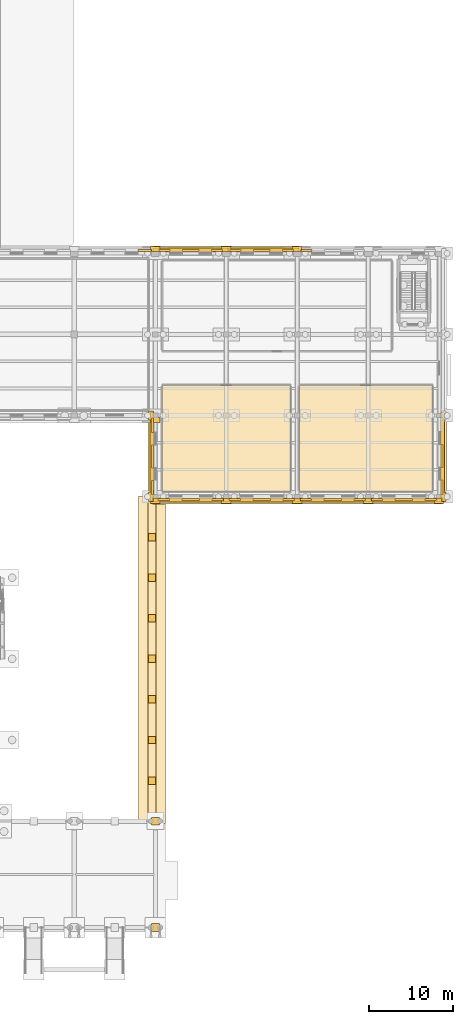
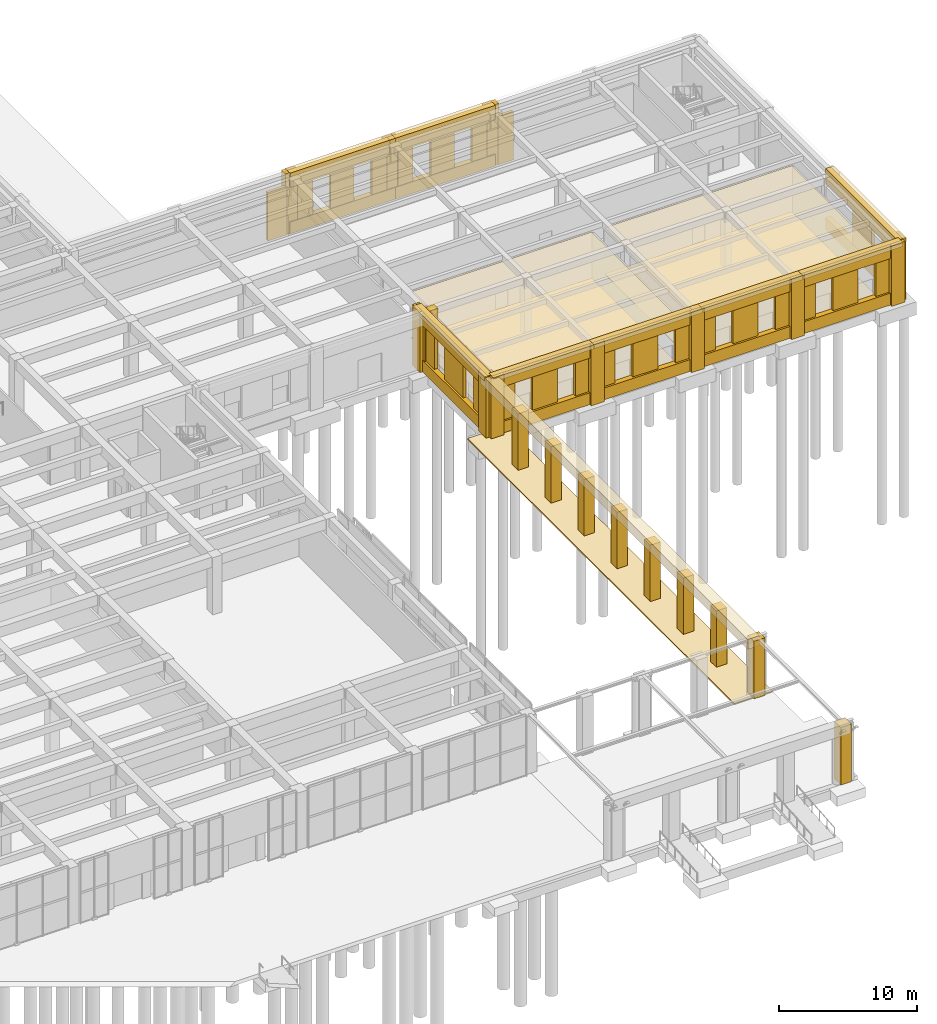
# One storey, part 49 of 51: 76 coverings.
"""IFC4 building model written with IfcOpenShell, lengths in metres."""

import ifcopenshell
import ifcopenshell.guid

model = None  # the IFC model being written
_history = None  # IfcOwnerHistory: only IFC2X3 demands one
_inside = {}  # id of a spatial element -> (the spatial element, [elements in it])
_under = {}  # id of a project, library or spatial element -> (it, [spatial elements below it])
_declared = {}  # id of a project -> (the project, [libraries it declares])
_typed = {}  # id of a type object -> (the type object, [elements of that type])
_made_of = {}  # id of a material, layer set ... -> (it, [elements and type objects made of it])


def new_model(schema):
    """Start an empty IFC model of exactly this schema.

    Asked for "IFC4X3", IfcOpenShell would pick the latest addendum, in which some entities
    have other attributes; the version numbers below select the first issue.
    IFC2X3 requires an IfcOwnerHistory on every rooted entity: one is made here for all.
    """
    global model, _history
    if schema == "IFC4X3":
        model = ifcopenshell.file(schema_version=(4, 3, 0, 0))
    else:
        model = ifcopenshell.file(schema=schema)
    _inside.clear()
    _under.clear()
    _declared.clear()
    _typed.clear()
    _made_of.clear()
    _history = None
    if model.schema == "IFC2X3":
        org = make("IfcOrganization", Name="unknown")
        user = make(
            "IfcPersonAndOrganization",
            ThePerson=make("IfcPerson", FamilyName="unknown"),
            TheOrganization=org,
        )
        app = make(
            "IfcApplication",
            ApplicationDeveloper=org,
            Version="unknown",
            ApplicationFullName="unknown",
            ApplicationIdentifier="unknown",
        )
        _history = make(
            "IfcOwnerHistory",
            OwningUser=user,
            OwningApplication=app,
            ChangeAction="ADDED",
            CreationDate=0,
        )
    return model


def make(cls, **values):
    """One entity of the class cls with the attributes given. An attribute that is None is left unset."""
    return model.create_entity(
        cls, **{name: value for name, value in values.items() if value is not None}
    )


def rooted(cls, **values):
    """An entity with a GlobalId (a new one), such as an element, a storey or a relation."""
    return make(cls, GlobalId=ifcopenshell.guid.new(), OwnerHistory=_history, **values)


def si_unit(unit_type, name, prefix=None):
    """IfcSIUnit, for example si_unit("LENGTHUNIT", "METRE", prefix="MILLI")."""
    return make("IfcSIUnit", UnitType=unit_type, Prefix=prefix, Name=name)


def assignment(units):
    """IfcUnitAssignment: the units of a project."""
    return None if units is None else make("IfcUnitAssignment", Units=units)


def point(xyz):
    """IfcCartesianPoint."""
    return None if xyz is None else make("IfcCartesianPoint", Coordinates=xyz)


def direction(xyz):
    """IfcDirection."""
    return None if xyz is None else make("IfcDirection", DirectionRatios=xyz)


def frame(location, z_axis=None, x_axis=None):
    """IfcAxis2Placement3D, a coordinate frame: its origin and axes. An axis left out is left unset."""
    return make(
        "IfcAxis2Placement3D",
        Location=point(location),
        Axis=direction(z_axis),
        RefDirection=direction(x_axis),
    )


def frame_2d(location, x_axis=None):
    """IfcAxis2Placement2D, a coordinate frame in the plane: its origin and x axis."""
    return make(
        "IfcAxis2Placement2D", Location=point(location), RefDirection=direction(x_axis)
    )


def origin():
    """The frame at (0, 0, 0) with its axes left unset."""
    return frame((0.0, 0.0, 0.0))


def origin_2d():
    """The frame at (0, 0) in the plane with its x axis left unset."""
    return frame_2d((0.0, 0.0))


def place(relative_to, where):
    """IfcLocalPlacement: puts the frame where relative to a parent placement (None: the world)."""
    return make(
        "IfcLocalPlacement", PlacementRelTo=relative_to, RelativePlacement=where
    )


def context(
    kind, dimensions, precision=None, world=None, true_north=None, identifier=None
):
    """IfcGeometricRepresentationContext, for example the 3D "Model" context."""
    return make(
        "IfcGeometricRepresentationContext",
        ContextIdentifier=identifier,
        ContextType=kind,
        CoordinateSpaceDimension=dimensions,
        Precision=precision,
        WorldCoordinateSystem=world,
        TrueNorth=true_north,
    )


def subcontext(parent, identifier, kind, view, scale=None):
    """IfcGeometricRepresentationSubContext, for example "Body" below "Model"."""
    return make(
        "IfcGeometricRepresentationSubContext",
        ContextIdentifier=identifier,
        ContextType=kind,
        ParentContext=parent,
        TargetScale=scale,
        TargetView=view,
    )


def project(units=None, contexts=None):
    """IfcProject with its units and contexts."""
    return rooted(
        "IfcProject",
        Name="project",
        RepresentationContexts=contexts,
        UnitsInContext=assignment(units),
    )


def spatial(cls, under=None, at=None, **own):
    """A site, building, storey or space (cls), placed at a placement, below another one or the project."""
    s = rooted(cls, ObjectPlacement=at, **own)
    if under is not None:
        _under.setdefault(under.id(), (under, []))[1].append(s)
    return s


def polyline(points):
    """IfcPolyline through the points."""
    return make("IfcPolyline", Points=[point(p) for p in points])


def profile(cls, at=None, kind="AREA", **sizes):
    """A parametric profile (cls). Its sizes go by their IFC names, for example OverallWidth=200.0."""
    return make(cls, ProfileType=kind, Position=at, **sizes)


def rectangle(**sizes):
    """IfcRectangleProfileDef."""
    return profile("IfcRectangleProfileDef", **sizes)


def outline(outer, holes=None, kind="AREA"):
    """IfcArbitraryClosedProfileDef: a profile drawn as a closed curve; with holes, ...WithVoids."""
    if holes is None:
        return make("IfcArbitraryClosedProfileDef", ProfileType=kind, OuterCurve=outer)
    return make(
        "IfcArbitraryProfileDefWithVoids",
        ProfileType=kind,
        OuterCurve=outer,
        InnerCurves=holes,
    )


def extrude(swept, where, along, depth):
    """IfcExtrudedAreaSolid: the profile swept, set in the frame where, extruded along a direction by depth."""
    return make(
        "IfcExtrudedAreaSolid",
        SweptArea=swept,
        Position=where,
        ExtrudedDirection=direction(along),
        Depth=depth,
    )


def shape(context_of_items, identifier, shape_type, items):
    """IfcShapeRepresentation: the items that make up one representation, for example the "Body"."""
    return make(
        "IfcShapeRepresentation",
        ContextOfItems=context_of_items,
        RepresentationIdentifier=identifier,
        RepresentationType=shape_type,
        Items=items,
    )


def material(Name=None, Category=None):
    """IfcMaterial."""
    return make("IfcMaterial", Name=Name, Category=Category)


def layer(
    of_material, thickness, ventilated=None, Name=None, Category=None, Priority=None
):
    """IfcMaterialLayer: one layer of a wall or slab, of a material (None: an air gap)."""
    return make(
        "IfcMaterialLayer",
        Material=of_material,
        LayerThickness=thickness,
        IsVentilated=ventilated,
        Name=Name,
        Category=Category,
        Priority=Priority,
    )


def layer_set(layers, Name=None):
    """IfcMaterialLayerSet."""
    return make("IfcMaterialLayerSet", MaterialLayers=layers, LayerSetName=Name)


def made_of(thing, what):
    """Note that an element or type object is made of a material, layer set ...; save() writes the relation."""
    if what is not None:
        _made_of.setdefault(what.id(), (what, []))[1].append(thing)
    return thing


def type_object(cls, material=None, **own):
    """A type object (cls), such as IfcWallType, which elements share."""
    return made_of(rooted(cls, **own), material)


def element(
    cls,
    number,
    at=None,
    inside=None,
    cuts=None,
    type_object=None,
    material=None,
    context=None,
    identifier="Body",
    shape_type=None,
    held_by="IfcProductDefinitionShape",
    body=None,
    shapes=None,
    **own,
):
    """One element of the class cls, such as IfcWall. Its Tag is "e" and its number.

    at: its placement. inside: the storey or other place that contains it. cuts: it is an
    opening in that element (IfcRelVoidsElement). A single representation is given by context,
    identifier, shape_type and body (its items); several are given by shapes. held_by: the class
    of the entity that holds the representations. save() writes the other relations.
    """
    e = rooted(cls, Tag="e%d" % number, ObjectPlacement=at, **own)
    if body is not None:
        shapes = [shape(context, identifier, shape_type, body)]
    if shapes is not None:
        e.Representation = make(held_by, Representations=shapes)
    if inside is not None:
        _inside.setdefault(inside.id(), (inside, []))[1].append(e)
    if cuts is not None:
        rooted(
            "IfcRelVoidsElement", RelatingBuildingElement=cuts, RelatedOpeningElement=e
        )
    if type_object is not None:
        _typed.setdefault(type_object.id(), (type_object, []))[1].append(e)
    return made_of(e, material)


def aggregate(whole, parts):
    """IfcRelAggregates: a whole, such as a stair, and the parts it consists of."""
    return rooted("IfcRelAggregates", RelatingObject=whole, RelatedObjects=parts)


def save(model, path):
    """Write the relations noted so far, then the file.

    IfcRelAggregates (storeys below a building ...), IfcRelContainedInSpatialStructure (elements
    in a storey), IfcRelDefinesByType, IfcRelAssociatesMaterial and IfcRelDeclares: one each for
    every whole, place, type object, material and project.
    """
    for whole, parts in _under.values():
        aggregate(whole, parts)
    for where, things in _inside.values():
        rooted(
            "IfcRelContainedInSpatialStructure",
            RelatedElements=things,
            RelatingStructure=where,
        )
    for kind, things in _typed.values():
        rooted("IfcRelDefinesByType", RelatedObjects=things, RelatingType=kind)
    for what, things in _made_of.values():
        rooted("IfcRelAssociatesMaterial", RelatedObjects=things, RelatingMaterial=what)
    for by, libraries in _declared.values():
        rooted("IfcRelDeclares", RelatingContext=by, RelatedDefinitions=libraries)
    model.write(path)


model = new_model("IFC4")

# Units and contexts
model_context = context("Model", 3, precision=1e-05, world=origin(), true_north=direction((0.0, 1.0)))
body_context = subcontext(model_context, "Body", "Model", "MODEL_VIEW")
ifc_project = project(units=[si_unit("LENGTHUNIT", "METRE"), si_unit("AREAUNIT", "SQUARE_METRE"), si_unit("VOLUMEUNIT", "CUBIC_METRE"), si_unit("PLANEANGLEUNIT", "RADIAN"), si_unit("MASSUNIT", "GRAM", prefix="KILO")], contexts=[model_context])

# Site, building, storey
site_placement = place(None, origin())
site = spatial("IfcSite", under=ifc_project, at=site_placement, CompositionType="ELEMENT")
building_placement = place(site_placement, origin())
building = spatial("IfcBuilding", under=site, at=building_placement, Name="Bempovik Park Faculty of Sciences", CompositionType="ELEMENT")
storey_placement = place(building_placement, origin())
storey = spatial("IfcBuildingStorey", under=building, at=storey_placement, Name="L00", CompositionType="ELEMENT", Elevation=0.0)

# Coverings
ifc_material_1 = material(Name="Acoustic mineral ceiling tile")
ifc_layer_1 = layer(ifc_material_1, 0.0400390625)
ifc_layer_set_1 = layer_set([ifc_layer_1], Name="Acoustic mineral ceiling tile")
covering_type_1 = type_object("IfcCoveringType", Name="CE-01 Acoustic Ceiling 40mm", PredefinedType="CEILING", material=ifc_layer_set_1)
covering_1_placement = place(storey_placement, frame((0.0, 0.0, 4.080078125)))
element("IfcCovering", 1, at=covering_1_placement, inside=storey, type_object=covering_type_1, Name="L00 Botany Seminar Room Acoustic Ceiling", PredefinedType="CEILING", context=body_context, shape_type="SweptSolid", body=[
    extrude(outline(polyline([(137.6298828125, 58.830078125), (152.77001953125, 58.830078125), (152.77001953125, 71.3701171875), (137.6298828125, 71.3701171875), (137.6298828125, 58.830078125)])), origin(), (0.0, 0.0, 1.0), 0.0400390625),
])
covering_2_placement = place(storey_placement, frame((0.0, 0.0, 4.080078125)))
element("IfcCovering", 2, at=covering_2_placement, inside=storey, type_object=covering_type_1, Name="L00 Mathematics Seminar Room Acoustic Ceiling", PredefinedType="CEILING", context=body_context, shape_type="SweptSolid", body=[
    extrude(outline(polyline([(153.830078125, 58.830078125), (169.570068359375, 58.830078125), (169.570068359375, 71.3701171875), (153.830078125, 71.3701171875), (153.830078125, 58.830078125)])), origin(), (0.0, 0.0, 1.0), 0.0400390625),
])
ifc_material_2 = material(Name="Precast concrete C40/50", Category="concrete")
ifc_layer_2 = layer(ifc_material_2, 0.179931640625)
ifc_layer_set_2 = layer_set([ifc_layer_2], Name="Precast concrete C40/50")
covering_type_2 = type_object("IfcCoveringType", Name="CL-02 Classical Cornice Band 180mm", PredefinedType="CLADDING", material=ifc_layer_set_2)
for number, where, z_axis, x_axis, name in (
    (3, (141.0, 87.530029296875, 5.0400390625), (0.0, 0.0, 1.0), (1.0, 0.0, 0.0), "L00 Classical Projecting Dentil Cornice EW-L00-5942"),
    (4, (149.39990234375, 87.530029296875, 5.0400390625), (0.0, 0.0, 1.0), (1.0, 0.0, 0.0), "L00 Classical Projecting Dentil Cornice EW-L00-5952"),
):
    element("IfcCovering", number, at=place(storey_placement, frame(where, z_axis=z_axis, x_axis=x_axis)), inside=storey, type_object=covering_type_2, Name=name, PredefinedType="CLADDING", context=body_context, shape_type="SweptSolid", body=[
        extrude(rectangle(XDim=8.845947265625, YDim=0.719970703125, at=origin_2d()), origin(), (0.0, 0.0, 1.0), 0.360107421875),
    ])
covering_3_placement = place(storey_placement, frame((170.929931640625, 63.0, 5.0400390625), z_axis=(0.0, 0.0, 1.0), x_axis=(1.0, 0.0, 0.0)))
element("IfcCovering", 5, at=covering_3_placement, inside=storey, type_object=covering_type_2, Name="L00 Classical Projecting Dentil Cornice EW-L00-5980", PredefinedType="CLADDING", context=body_context, shape_type="SweptSolid", body=[
    extrude(rectangle(XDim=0.719970703125, YDim=10.486083984375, at=origin_2d()), origin(), (0.0, 0.0, 1.0), 0.360107421875),
])
for number, where, z_axis, x_axis, name in (
    (6, (141.0, 57.669921875, 5.0400390625), (0.0, 0.0, 1.0), (1.0, 0.0, 0.0), "L00 Classical Projecting Dentil Cornice EW-L00-5999"),
    (7, (149.39990234375, 57.669921875, 5.0400390625), (0.0, 0.0, 1.0), (1.0, 0.0, 0.0), "L00 Classical Projecting Dentil Cornice EW-L00-6010"),
    (8, (157.800048828125, 57.669921875, 5.0400390625), (0.0, 0.0, 1.0), (1.0, 0.0, 0.0), "L00 Classical Projecting Dentil Cornice EW-L00-6020"),
    (9, (166.199951171875, 57.669921875, 5.0400390625), (0.0, 0.0, 1.0), (1.0, 0.0, 0.0), "L00 Classical Projecting Dentil Cornice EW-L00-6030"),
):
    element("IfcCovering", number, at=place(storey_placement, frame(where, z_axis=z_axis, x_axis=x_axis)), inside=storey, type_object=covering_type_2, Name=name, PredefinedType="CLADDING", context=body_context, shape_type="SweptSolid", body=[
        extrude(rectangle(XDim=9.1259765625, YDim=0.719970703125, at=origin_2d()), origin(), (0.0, 0.0, 1.0), 0.360107421875),
    ])
covering_4_placement = place(storey_placement, frame((136.27001953125, 62.9599609375, 5.0400390625), z_axis=(0.0, 0.0, 1.0), x_axis=(1.0, 0.0, 0.0)))
element("IfcCovering", 10, at=covering_4_placement, inside=storey, type_object=covering_type_2, Name="L00 Classical Projecting Dentil Cornice EW-L00-6040", PredefinedType="CLADDING", context=body_context, shape_type="SweptSolid", body=[
    extrude(rectangle(XDim=0.719970703125, YDim=10.406005859375, at=origin_2d()), origin(), (0.0, 0.0, 1.0), 0.360107421875),
])
ifc_material_3 = material(Name="White reconstituted limestone precast C40/50", Category="masonry")
ifc_layer_3 = layer(ifc_material_3, 0.239990234375)
ifc_layer_set_3 = layer_set([ifc_layer_3], Name="White reconstituted limestone precast C40/50")
covering_type_3 = type_object("IfcCoveringType", Name="CL-03 Classical Fluted Limestone Pilaster 240mm", PredefinedType="CLADDING", material=ifc_layer_set_3)
covering_5_placement = place(storey_placement, frame((136.800048828125, 87.530029296875, 0.0), z_axis=(0.0, 0.0, 1.0), x_axis=(1.0, 0.0, 0.0)))
element("IfcCovering", 11, at=covering_5_placement, inside=storey, type_object=covering_type_3, Name="L00 Classical Fluted Stone Pilaster PIL-BA-L00-1368-875", PredefinedType="CLADDING", context=body_context, shape_type="SweptSolid", body=[
    extrude(rectangle(XDim=1.10009765625, YDim=0.580078125, at=origin_2d()), origin(), (0.0, 0.0, 1.0), 5.39990234375),
])
covering_6_placement = place(storey_placement, frame((135.5439453125, 87.330078125, 0.0), z_axis=(0.0, 0.0, 1.0), x_axis=(1.0, 0.0, 0.0)))
element("IfcCovering", 12, at=covering_6_placement, inside=storey, type_object=covering_type_3, Name="L00 White Limestone Wall Cheek EW-L00-5932-4", PredefinedType="CLADDING", context=body_context, shape_type="SweptSolid", body=[
    extrude(rectangle(XDim=1.60791015625, YDim=0.239990234375, at=origin_2d()), origin(), (0.0, 0.0, 1.0), 4.280029296875),
])
covering_7_placement = place(storey_placement, frame((141.0, 87.389892578125, 4.1201171875), z_axis=(0.0, 0.0, 1.0), x_axis=(1.0, 0.0, 0.0)))
element("IfcCovering", 13, at=covering_7_placement, inside=storey, type_object=covering_type_3, Name="L00 Classical Limestone Spandrel Entablature EW-L00-5942", PredefinedType="CLADDING", context=body_context, shape_type="SweptSolid", body=[
    extrude(rectangle(XDim=8.845947265625, YDim=0.43994140625, at=origin_2d()), origin(), (0.0, 0.0, 1.0), 1.280029296875),
])
covering_8_placement = place(storey_placement, frame((141.0, 87.389892578125, 0.0), z_axis=(0.0, 0.0, 1.0), x_axis=(1.0, 0.0, 0.0)))
element("IfcCovering", 14, at=covering_8_placement, inside=storey, type_object=covering_type_3, Name="L00 Classical Limestone Sill Dado EW-L00-5942", PredefinedType="CLADDING", context=body_context, shape_type="SweptSolid", body=[
    extrude(rectangle(XDim=8.845947265625, YDim=0.43994140625, at=origin_2d()), origin(), (0.0, 0.0, 1.0), 1.050048828125),
])
covering_9_placement = place(storey_placement, frame((145.199951171875, 87.530029296875, 0.0), z_axis=(0.0, 0.0, 1.0), x_axis=(1.0, 0.0, 0.0)))
element("IfcCovering", 15, at=covering_9_placement, inside=storey, type_object=covering_type_3, Name="L00 Classical Fluted Stone Pilaster PIL-BA-L00-1452-875", PredefinedType="CLADDING", context=body_context, shape_type="SweptSolid", body=[
    extrude(rectangle(XDim=1.10009765625, YDim=0.580078125, at=origin_2d()), origin(), (0.0, 0.0, 1.0), 5.39990234375),
])
covering_10_placement = place(storey_placement, frame((137.89404296875, 87.330078125, 0.0), z_axis=(0.0, 0.0, 1.0), x_axis=(1.0, 0.0, 0.0)))
element("IfcCovering", 16, at=covering_10_placement, inside=storey, type_object=covering_type_3, Name="L00 White Limestone Wall Cheek EW-L00-5942-0", PredefinedType="CLADDING", context=body_context, shape_type="SweptSolid", body=[
    extrude(rectangle(XDim=1.283935546875, YDim=0.239990234375, at=origin_2d()), origin(), (0.0, 0.0, 1.0), 4.280029296875),
])
covering_11_placement = place(storey_placement, frame((141.0, 87.330078125, 0.0), z_axis=(0.0, 0.0, 1.0), x_axis=(1.0, 0.0, 0.0)))
element("IfcCovering", 17, at=covering_11_placement, inside=storey, type_object=covering_type_3, Name="L00 White Limestone Wall Cheek EW-L00-5942-2", PredefinedType="CLADDING", context=body_context, shape_type="SweptSolid", body=[
    extrude(rectangle(XDim=1.96826171875, YDim=0.239990234375, at=origin_2d()), origin(), (0.0, 0.0, 1.0), 4.280029296875),
])
covering_12_placement = place(storey_placement, frame((144.106201171875, 87.330078125, 0.0), z_axis=(0.0, 0.0, 1.0), x_axis=(1.0, 0.0, 0.0)))
element("IfcCovering", 18, at=covering_12_placement, inside=storey, type_object=covering_type_3, Name="L00 White Limestone Wall Cheek EW-L00-5942-4", PredefinedType="CLADDING", context=body_context, shape_type="SweptSolid", body=[
    extrude(rectangle(XDim=1.283935546875, YDim=0.239990234375, at=origin_2d()), origin(), (0.0, 0.0, 1.0), 4.280029296875),
])
covering_13_placement = place(storey_placement, frame((149.39990234375, 87.389892578125, 4.1201171875), z_axis=(0.0, 0.0, 1.0), x_axis=(1.0, 0.0, 0.0)))
element("IfcCovering", 19, at=covering_13_placement, inside=storey, type_object=covering_type_3, Name="L00 Classical Limestone Spandrel Entablature EW-L00-5952", PredefinedType="CLADDING", context=body_context, shape_type="SweptSolid", body=[
    extrude(rectangle(XDim=8.845947265625, YDim=0.43994140625, at=origin_2d()), origin(), (0.0, 0.0, 1.0), 1.280029296875),
])
covering_14_placement = place(storey_placement, frame((149.39990234375, 87.389892578125, 0.0), z_axis=(0.0, 0.0, 1.0), x_axis=(1.0, 0.0, 0.0)))
element("IfcCovering", 20, at=covering_14_placement, inside=storey, type_object=covering_type_3, Name="L00 Classical Limestone Sill Dado EW-L00-5952", PredefinedType="CLADDING", context=body_context, shape_type="SweptSolid", body=[
    extrude(rectangle(XDim=8.845947265625, YDim=0.43994140625, at=origin_2d()), origin(), (0.0, 0.0, 1.0), 1.050048828125),
])
covering_15_placement = place(storey_placement, frame((153.60009765625, 87.530029296875, 0.0), z_axis=(0.0, 0.0, 1.0), x_axis=(1.0, 0.0, 0.0)))
element("IfcCovering", 21, at=covering_15_placement, inside=storey, type_object=covering_type_3, Name="L00 Classical Fluted Stone Pilaster PIL-BA-L00-1536-875", PredefinedType="CLADDING", context=body_context, shape_type="SweptSolid", body=[
    extrude(rectangle(XDim=1.10009765625, YDim=0.580078125, at=origin_2d()), origin(), (0.0, 0.0, 1.0), 5.39990234375),
])
covering_16_placement = place(storey_placement, frame((146.2939453125, 87.330078125, 0.0), z_axis=(0.0, 0.0, 1.0), x_axis=(1.0, 0.0, 0.0)))
element("IfcCovering", 22, at=covering_16_placement, inside=storey, type_object=covering_type_3, Name="L00 White Limestone Wall Cheek EW-L00-5952-0", PredefinedType="CLADDING", context=body_context, shape_type="SweptSolid", body=[
    extrude(rectangle(XDim=1.283935546875, YDim=0.239990234375, at=origin_2d()), origin(), (0.0, 0.0, 1.0), 4.280029296875),
])
covering_17_placement = place(storey_placement, frame((149.39990234375, 87.330078125, 0.0), z_axis=(0.0, 0.0, 1.0), x_axis=(1.0, 0.0, 0.0)))
element("IfcCovering", 23, at=covering_17_placement, inside=storey, type_object=covering_type_3, Name="L00 White Limestone Wall Cheek EW-L00-5952-2", PredefinedType="CLADDING", context=body_context, shape_type="SweptSolid", body=[
    extrude(rectangle(XDim=1.96826171875, YDim=0.239990234375, at=origin_2d()), origin(), (0.0, 0.0, 1.0), 4.280029296875),
])
for number, where, z_axis, x_axis, name in (
    (24, (152.506103515625, 87.330078125, 0.0), (0.0, 0.0, 1.0), (1.0, 0.0, 0.0), "L00 White Limestone Wall Cheek EW-L00-5952-4"),
    (25, (154.694091796875, 87.330078125, 0.0), (0.0, 0.0, 1.0), (1.0, 0.0, 0.0), "L00 White Limestone Wall Cheek EW-L00-5962-0"),
):
    element("IfcCovering", number, at=place(storey_placement, frame(where, z_axis=z_axis, x_axis=x_axis)), inside=storey, type_object=covering_type_3, Name=name, PredefinedType="CLADDING", context=body_context, shape_type="SweptSolid", body=[
        extrude(rectangle(XDim=1.283935546875, YDim=0.239990234375, at=origin_2d()), origin(), (0.0, 0.0, 1.0), 4.280029296875),
    ])
covering_18_placement = place(storey_placement, frame((170.7900390625, 63.0, 4.1201171875), z_axis=(0.0, 0.0, 1.0), x_axis=(1.0, 0.0, 0.0)))
element("IfcCovering", 26, at=covering_18_placement, inside=storey, type_object=covering_type_3, Name="L00 Classical Limestone Spandrel Entablature EW-L00-5980", PredefinedType="CLADDING", context=body_context, shape_type="SweptSolid", body=[
    extrude(rectangle(XDim=0.43994140625, YDim=10.486083984375, at=origin_2d()), origin(), (0.0, 0.0, 1.0), 1.280029296875),
])
covering_19_placement = place(storey_placement, frame((170.7900390625, 63.0, 0.0), z_axis=(0.0, 0.0, 1.0), x_axis=(1.0, 0.0, 0.0)))
element("IfcCovering", 27, at=covering_19_placement, inside=storey, type_object=covering_type_3, Name="L00 Classical Limestone Sill Dado EW-L00-5980", PredefinedType="CLADDING", context=body_context, shape_type="SweptSolid", body=[
    extrude(rectangle(XDim=0.43994140625, YDim=10.486083984375, at=origin_2d()), origin(), (0.0, 0.0, 1.0), 1.050048828125),
])
covering_20_placement = place(storey_placement, frame((170.929931640625, 58.199951171875, 0.0), z_axis=(0.0, 0.0, 1.0), x_axis=(1.0, 0.0, 0.0)))
element("IfcCovering", 28, at=covering_20_placement, inside=storey, type_object=covering_type_3, Name="L00 Classical Fluted Stone Pilaster PIL-BA-L00-1709-582", PredefinedType="CLADDING", context=body_context, shape_type="SweptSolid", body=[
    extrude(rectangle(XDim=0.580078125, YDim=1.10009765625, at=origin_2d()), origin(), (0.0, 0.0, 1.0), 5.39990234375),
])
covering_21_placement = place(storey_placement, frame((170.72998046875, 59.29541015625, 0.0), z_axis=(0.0, 0.0, 1.0), x_axis=(1.0, 0.0, 0.0)))
element("IfcCovering", 29, at=covering_21_placement, inside=storey, type_object=covering_type_3, Name="L00 White Limestone Wall Cheek EW-L00-5980-0", PredefinedType="CLADDING", context=body_context, shape_type="SweptSolid", body=[
    extrude(rectangle(XDim=0.239990234375, YDim=1.726806640625, at=origin_2d()), origin(), (0.0, 0.0, 1.0), 4.280029296875),
])
covering_22_placement = place(storey_placement, frame((170.72998046875, 63.0, 0.0), z_axis=(0.0, 0.0, 1.0), x_axis=(1.0, 0.0, 0.0)))
element("IfcCovering", 30, at=covering_22_placement, inside=storey, type_object=covering_type_3, Name="L00 White Limestone Wall Cheek EW-L00-5980-2", PredefinedType="CLADDING", context=body_context, shape_type="SweptSolid", body=[
    extrude(rectangle(XDim=0.239990234375, YDim=2.72265625, at=origin_2d()), origin(), (0.0, 0.0, 1.0), 4.280029296875),
])
covering_23_placement = place(storey_placement, frame((141.0, 57.81005859375, 4.1201171875), z_axis=(0.0, 0.0, 1.0), x_axis=(1.0, 0.0, 0.0)))
element("IfcCovering", 31, at=covering_23_placement, inside=storey, type_object=covering_type_3, Name="L00 Classical Limestone Spandrel Entablature EW-L00-5999", PredefinedType="CLADDING", context=body_context, shape_type="SweptSolid", body=[
    extrude(rectangle(XDim=9.1259765625, YDim=0.43994140625, at=origin_2d()), origin(), (0.0, 0.0, 1.0), 1.280029296875),
])
covering_24_placement = place(storey_placement, frame((141.0, 57.81005859375, 0.0), z_axis=(0.0, 0.0, 1.0), x_axis=(1.0, 0.0, 0.0)))
element("IfcCovering", 32, at=covering_24_placement, inside=storey, type_object=covering_type_3, Name="L00 Classical Limestone Sill Dado EW-L00-5999", PredefinedType="CLADDING", context=body_context, shape_type="SweptSolid", body=[
    extrude(rectangle(XDim=9.1259765625, YDim=0.43994140625, at=origin_2d()), origin(), (0.0, 0.0, 1.0), 1.050048828125),
])
for number, where, z_axis, x_axis, name in (
    (33, (136.800048828125, 57.669921875, 0.0), (0.0, 0.0, 1.0), (1.0, 0.0, 0.0), "L00 Classical Fluted Stone Pilaster PIL-BA-L00-1368-577"),
    (34, (145.199951171875, 57.669921875, 0.0), (0.0, 0.0, 1.0), (1.0, 0.0, 0.0), "L00 Classical Fluted Stone Pilaster PIL-BA-L00-1452-577"),
):
    element("IfcCovering", number, at=place(storey_placement, frame(where, z_axis=z_axis, x_axis=x_axis)), inside=storey, type_object=covering_type_3, Name=name, PredefinedType="CLADDING", context=body_context, shape_type="SweptSolid", body=[
        extrude(rectangle(XDim=1.10009765625, YDim=0.580078125, at=origin_2d()), origin(), (0.0, 0.0, 1.0), 5.39990234375),
    ])
covering_25_placement = place(storey_placement, frame((137.791748046875, 57.8701171875, 0.0), z_axis=(0.0, 0.0, 1.0), x_axis=(1.0, 0.0, 0.0)))
element("IfcCovering", 35, at=covering_25_placement, inside=storey, type_object=covering_type_3, Name="L00 White Limestone Wall Cheek EW-L00-5999-0", PredefinedType="CLADDING", context=body_context, shape_type="SweptSolid", body=[
    extrude(rectangle(XDim=1.359619140625, YDim=0.239990234375, at=origin_2d()), origin(), (0.0, 0.0, 1.0), 4.280029296875),
])
covering_26_placement = place(storey_placement, frame((141.0, 57.8701171875, 0.0), z_axis=(0.0, 0.0, 1.0), x_axis=(1.0, 0.0, 0.0)))
element("IfcCovering", 36, at=covering_26_placement, inside=storey, type_object=covering_type_3, Name="L00 White Limestone Wall Cheek EW-L00-5999-2", PredefinedType="CLADDING", context=body_context, shape_type="SweptSolid", body=[
    extrude(rectangle(XDim=2.096923828125, YDim=0.239990234375, at=origin_2d()), origin(), (0.0, 0.0, 1.0), 4.280029296875),
])
covering_27_placement = place(storey_placement, frame((144.208251953125, 57.8701171875, 0.0), z_axis=(0.0, 0.0, 1.0), x_axis=(1.0, 0.0, 0.0)))
element("IfcCovering", 37, at=covering_27_placement, inside=storey, type_object=covering_type_3, Name="L00 White Limestone Wall Cheek EW-L00-5999-4", PredefinedType="CLADDING", context=body_context, shape_type="SweptSolid", body=[
    extrude(rectangle(XDim=1.359619140625, YDim=0.239990234375, at=origin_2d()), origin(), (0.0, 0.0, 1.0), 4.280029296875),
])
covering_28_placement = place(storey_placement, frame((149.39990234375, 57.81005859375, 4.1201171875), z_axis=(0.0, 0.0, 1.0), x_axis=(1.0, 0.0, 0.0)))
element("IfcCovering", 38, at=covering_28_placement, inside=storey, type_object=covering_type_3, Name="L00 Classical Limestone Spandrel Entablature EW-L00-6010", PredefinedType="CLADDING", context=body_context, shape_type="SweptSolid", body=[
    extrude(rectangle(XDim=9.1259765625, YDim=0.43994140625, at=origin_2d()), origin(), (0.0, 0.0, 1.0), 1.280029296875),
])
covering_29_placement = place(storey_placement, frame((149.39990234375, 57.81005859375, 0.0), z_axis=(0.0, 0.0, 1.0), x_axis=(1.0, 0.0, 0.0)))
element("IfcCovering", 39, at=covering_29_placement, inside=storey, type_object=covering_type_3, Name="L00 Classical Limestone Sill Dado EW-L00-6010", PredefinedType="CLADDING", context=body_context, shape_type="SweptSolid", body=[
    extrude(rectangle(XDim=9.1259765625, YDim=0.43994140625, at=origin_2d()), origin(), (0.0, 0.0, 1.0), 1.050048828125),
])
covering_30_placement = place(storey_placement, frame((153.60009765625, 57.669921875, 0.0), z_axis=(0.0, 0.0, 1.0), x_axis=(1.0, 0.0, 0.0)))
element("IfcCovering", 40, at=covering_30_placement, inside=storey, type_object=covering_type_3, Name="L00 Classical Fluted Stone Pilaster PIL-BA-L00-1536-577", PredefinedType="CLADDING", context=body_context, shape_type="SweptSolid", body=[
    extrude(rectangle(XDim=1.10009765625, YDim=0.580078125, at=origin_2d()), origin(), (0.0, 0.0, 1.0), 5.39990234375),
])
covering_31_placement = place(storey_placement, frame((146.19189453125, 57.8701171875, 0.0), z_axis=(0.0, 0.0, 1.0), x_axis=(1.0, 0.0, 0.0)))
element("IfcCovering", 41, at=covering_31_placement, inside=storey, type_object=covering_type_3, Name="L00 White Limestone Wall Cheek EW-L00-6010-0", PredefinedType="CLADDING", context=body_context, shape_type="SweptSolid", body=[
    extrude(rectangle(XDim=1.359619140625, YDim=0.239990234375, at=origin_2d()), origin(), (0.0, 0.0, 1.0), 4.280029296875),
])
covering_32_placement = place(storey_placement, frame((149.39990234375, 57.8701171875, 0.0), z_axis=(0.0, 0.0, 1.0), x_axis=(1.0, 0.0, 0.0)))
element("IfcCovering", 42, at=covering_32_placement, inside=storey, type_object=covering_type_3, Name="L00 White Limestone Wall Cheek EW-L00-6010-2", PredefinedType="CLADDING", context=body_context, shape_type="SweptSolid", body=[
    extrude(rectangle(XDim=2.096923828125, YDim=0.239990234375, at=origin_2d()), origin(), (0.0, 0.0, 1.0), 4.280029296875),
])
covering_33_placement = place(storey_placement, frame((152.608154296875, 57.8701171875, 0.0), z_axis=(0.0, 0.0, 1.0), x_axis=(1.0, 0.0, 0.0)))
element("IfcCovering", 43, at=covering_33_placement, inside=storey, type_object=covering_type_3, Name="L00 White Limestone Wall Cheek EW-L00-6010-4", PredefinedType="CLADDING", context=body_context, shape_type="SweptSolid", body=[
    extrude(rectangle(XDim=1.359619140625, YDim=0.239990234375, at=origin_2d()), origin(), (0.0, 0.0, 1.0), 4.280029296875),
])
covering_34_placement = place(storey_placement, frame((157.800048828125, 57.81005859375, 4.1201171875), z_axis=(0.0, 0.0, 1.0), x_axis=(1.0, 0.0, 0.0)))
element("IfcCovering", 44, at=covering_34_placement, inside=storey, type_object=covering_type_3, Name="L00 Classical Limestone Spandrel Entablature EW-L00-6020", PredefinedType="CLADDING", context=body_context, shape_type="SweptSolid", body=[
    extrude(rectangle(XDim=9.1259765625, YDim=0.43994140625, at=origin_2d()), origin(), (0.0, 0.0, 1.0), 1.280029296875),
])
covering_35_placement = place(storey_placement, frame((157.800048828125, 57.81005859375, 0.0), z_axis=(0.0, 0.0, 1.0), x_axis=(1.0, 0.0, 0.0)))
element("IfcCovering", 45, at=covering_35_placement, inside=storey, type_object=covering_type_3, Name="L00 Classical Limestone Sill Dado EW-L00-6020", PredefinedType="CLADDING", context=body_context, shape_type="SweptSolid", body=[
    extrude(rectangle(XDim=9.1259765625, YDim=0.43994140625, at=origin_2d()), origin(), (0.0, 0.0, 1.0), 1.050048828125),
])
covering_36_placement = place(storey_placement, frame((162.0, 57.669921875, 0.0), z_axis=(0.0, 0.0, 1.0), x_axis=(1.0, 0.0, 0.0)))
element("IfcCovering", 46, at=covering_36_placement, inside=storey, type_object=covering_type_3, Name="L00 Classical Fluted Stone Pilaster PIL-BA-L00-1620-577", PredefinedType="CLADDING", context=body_context, shape_type="SweptSolid", body=[
    extrude(rectangle(XDim=1.10009765625, YDim=0.580078125, at=origin_2d()), origin(), (0.0, 0.0, 1.0), 5.39990234375),
])
covering_37_placement = place(storey_placement, frame((154.591796875, 57.8701171875, 0.0), z_axis=(0.0, 0.0, 1.0), x_axis=(1.0, 0.0, 0.0)))
element("IfcCovering", 47, at=covering_37_placement, inside=storey, type_object=covering_type_3, Name="L00 White Limestone Wall Cheek EW-L00-6020-0", PredefinedType="CLADDING", context=body_context, shape_type="SweptSolid", body=[
    extrude(rectangle(XDim=1.359619140625, YDim=0.239990234375, at=origin_2d()), origin(), (0.0, 0.0, 1.0), 4.280029296875),
])
covering_38_placement = place(storey_placement, frame((157.800048828125, 57.8701171875, 0.0), z_axis=(0.0, 0.0, 1.0), x_axis=(1.0, 0.0, 0.0)))
element("IfcCovering", 48, at=covering_38_placement, inside=storey, type_object=covering_type_3, Name="L00 White Limestone Wall Cheek EW-L00-6020-2", PredefinedType="CLADDING", context=body_context, shape_type="SweptSolid", body=[
    extrude(rectangle(XDim=2.096923828125, YDim=0.239990234375, at=origin_2d()), origin(), (0.0, 0.0, 1.0), 4.280029296875),
])
covering_39_placement = place(storey_placement, frame((161.00830078125, 57.8701171875, 0.0), z_axis=(0.0, 0.0, 1.0), x_axis=(1.0, 0.0, 0.0)))
element("IfcCovering", 49, at=covering_39_placement, inside=storey, type_object=covering_type_3, Name="L00 White Limestone Wall Cheek EW-L00-6020-4", PredefinedType="CLADDING", context=body_context, shape_type="SweptSolid", body=[
    extrude(rectangle(XDim=1.359619140625, YDim=0.239990234375, at=origin_2d()), origin(), (0.0, 0.0, 1.0), 4.280029296875),
])
covering_40_placement = place(storey_placement, frame((166.199951171875, 57.81005859375, 4.1201171875), z_axis=(0.0, 0.0, 1.0), x_axis=(1.0, 0.0, 0.0)))
element("IfcCovering", 50, at=covering_40_placement, inside=storey, type_object=covering_type_3, Name="L00 Classical Limestone Spandrel Entablature EW-L00-6030", PredefinedType="CLADDING", context=body_context, shape_type="SweptSolid", body=[
    extrude(rectangle(XDim=9.1259765625, YDim=0.43994140625, at=origin_2d()), origin(), (0.0, 0.0, 1.0), 1.280029296875),
])
covering_41_placement = place(storey_placement, frame((166.199951171875, 57.81005859375, 0.0), z_axis=(0.0, 0.0, 1.0), x_axis=(1.0, 0.0, 0.0)))
element("IfcCovering", 51, at=covering_41_placement, inside=storey, type_object=covering_type_3, Name="L00 Classical Limestone Sill Dado EW-L00-6030", PredefinedType="CLADDING", context=body_context, shape_type="SweptSolid", body=[
    extrude(rectangle(XDim=9.1259765625, YDim=0.43994140625, at=origin_2d()), origin(), (0.0, 0.0, 1.0), 1.050048828125),
])
covering_42_placement = place(storey_placement, frame((170.39990234375, 57.669921875, 0.0), z_axis=(0.0, 0.0, 1.0), x_axis=(1.0, 0.0, 0.0)))
element("IfcCovering", 52, at=covering_42_placement, inside=storey, type_object=covering_type_3, Name="L00 Classical Fluted Stone Pilaster PIL-BA-L00-1704-577", PredefinedType="CLADDING", context=body_context, shape_type="SweptSolid", body=[
    extrude(rectangle(XDim=1.10009765625, YDim=0.580078125, at=origin_2d()), origin(), (0.0, 0.0, 1.0), 5.39990234375),
])
covering_43_placement = place(storey_placement, frame((162.99169921875, 57.8701171875, 0.0), z_axis=(0.0, 0.0, 1.0), x_axis=(1.0, 0.0, 0.0)))
element("IfcCovering", 53, at=covering_43_placement, inside=storey, type_object=covering_type_3, Name="L00 White Limestone Wall Cheek EW-L00-6030-0", PredefinedType="CLADDING", context=body_context, shape_type="SweptSolid", body=[
    extrude(rectangle(XDim=1.359619140625, YDim=0.239990234375, at=origin_2d()), origin(), (0.0, 0.0, 1.0), 4.280029296875),
])
covering_44_placement = place(storey_placement, frame((166.199951171875, 57.8701171875, 0.0), z_axis=(0.0, 0.0, 1.0), x_axis=(1.0, 0.0, 0.0)))
element("IfcCovering", 54, at=covering_44_placement, inside=storey, type_object=covering_type_3, Name="L00 White Limestone Wall Cheek EW-L00-6030-2", PredefinedType="CLADDING", context=body_context, shape_type="SweptSolid", body=[
    extrude(rectangle(XDim=2.096923828125, YDim=0.239990234375, at=origin_2d()), origin(), (0.0, 0.0, 1.0), 4.280029296875),
])
covering_45_placement = place(storey_placement, frame((169.408203125, 57.8701171875, 0.0), z_axis=(0.0, 0.0, 1.0), x_axis=(1.0, 0.0, 0.0)))
element("IfcCovering", 55, at=covering_45_placement, inside=storey, type_object=covering_type_3, Name="L00 White Limestone Wall Cheek EW-L00-6030-4", PredefinedType="CLADDING", context=body_context, shape_type="SweptSolid", body=[
    extrude(rectangle(XDim=1.359619140625, YDim=0.239990234375, at=origin_2d()), origin(), (0.0, 0.0, 1.0), 4.280029296875),
])
covering_46_placement = place(storey_placement, frame((136.409912109375, 62.9599609375, 4.1201171875), z_axis=(0.0, 0.0, 1.0), x_axis=(1.0, 0.0, 0.0)))
element("IfcCovering", 56, at=covering_46_placement, inside=storey, type_object=covering_type_3, Name="L00 Classical Limestone Spandrel Entablature EW-L00-6040", PredefinedType="CLADDING", context=body_context, shape_type="SweptSolid", body=[
    extrude(rectangle(XDim=0.43994140625, YDim=10.406005859375, at=origin_2d()), origin(), (0.0, 0.0, 1.0), 1.280029296875),
])
covering_47_placement = place(storey_placement, frame((136.409912109375, 62.9599609375, 0.0), z_axis=(0.0, 0.0, 1.0), x_axis=(1.0, 0.0, 0.0)))
element("IfcCovering", 57, at=covering_47_placement, inside=storey, type_object=covering_type_3, Name="L00 Classical Limestone Sill Dado EW-L00-6040", PredefinedType="CLADDING", context=body_context, shape_type="SweptSolid", body=[
    extrude(rectangle(XDim=0.43994140625, YDim=10.406005859375, at=origin_2d()), origin(), (0.0, 0.0, 1.0), 1.050048828125),
])
for number, where, z_axis, x_axis, name in (
    (58, (136.27001953125, 58.199951171875, 0.0), (0.0, 0.0, 1.0), (1.0, 0.0, 0.0), "L00 Classical Fluted Stone Pilaster PIL-BA-L00-1363-582"),
    (59, (136.27001953125, 67.800048828125, 0.0), (0.0, 0.0, 1.0), (1.0, 0.0, 0.0), "L00 Classical Fluted Stone Pilaster PIL-BA-L00-1363-678"),
):
    element("IfcCovering", number, at=place(storey_placement, frame(where, z_axis=z_axis, x_axis=x_axis)), inside=storey, type_object=covering_type_3, Name=name, PredefinedType="CLADDING", context=body_context, shape_type="SweptSolid", body=[
        extrude(rectangle(XDim=0.580078125, YDim=1.10009765625, at=origin_2d()), origin(), (0.0, 0.0, 1.0), 5.39990234375),
    ])
covering_48_placement = place(storey_placement, frame((136.469970703125, 59.28466796875, 0.0), z_axis=(0.0, 0.0, 1.0), x_axis=(1.0, 0.0, 0.0)))
element("IfcCovering", 60, at=covering_48_placement, inside=storey, type_object=covering_type_3, Name="L00 White Limestone Wall Cheek EW-L00-6040-0", PredefinedType="CLADDING", context=body_context, shape_type="SweptSolid", body=[
    extrude(rectangle(XDim=0.239990234375, YDim=1.705078125, at=origin_2d()), origin(), (0.0, 0.0, 1.0), 4.280029296875),
])
covering_49_placement = place(storey_placement, frame((136.469970703125, 62.9599609375, 0.0), z_axis=(0.0, 0.0, 1.0), x_axis=(1.0, 0.0, 0.0)))
element("IfcCovering", 61, at=covering_49_placement, inside=storey, type_object=covering_type_3, Name="L00 White Limestone Wall Cheek EW-L00-6040-2", PredefinedType="CLADDING", context=body_context, shape_type="SweptSolid", body=[
    extrude(rectangle(XDim=0.239990234375, YDim=2.685791015625, at=origin_2d()), origin(), (0.0, 0.0, 1.0), 4.280029296875),
])
covering_50_placement = place(storey_placement, frame((136.469970703125, 66.635498046875, 0.0), z_axis=(0.0, 0.0, 1.0), x_axis=(1.0, 0.0, 0.0)))
element("IfcCovering", 62, at=covering_50_placement, inside=storey, type_object=covering_type_3, Name="L00 White Limestone Wall Cheek EW-L00-6040-4", PredefinedType="CLADDING", context=body_context, shape_type="SweptSolid", body=[
    extrude(rectangle(XDim=0.239990234375, YDim=1.705078125, at=origin_2d()), origin(), (0.0, 0.0, 1.0), 4.280029296875),
])
covering_51_placement = place(storey_placement, frame((136.800048828125, 67.27001953125, 0.0), z_axis=(0.0, 0.0, 1.0), x_axis=(1.0, 0.0, 0.0)))
element("IfcCovering", 63, at=covering_51_placement, inside=storey, type_object=covering_type_3, Name="L00 Classical Fluted Stone Pilaster PIL-BA-L00-1368-673", PredefinedType="CLADDING", context=body_context, shape_type="SweptSolid", body=[
    extrude(rectangle(XDim=1.10009765625, YDim=0.580078125, at=origin_2d()), origin(), (0.0, 0.0, 1.0), 5.39990234375),
])
for number, where, z_axis, x_axis, name in (
    (64, (136.800048828125, 7.199951171875, 0.0), (0.0, 0.0, 1.0), (1.0, 0.0, 0.0), "Classical Park Colonnade Stone Pier COLE (136.8,7.2)"),
    (65, (136.800048828125, 19.800048828125, 0.0), (0.0, 0.0, 1.0), (1.0, 0.0, 0.0), "Classical Park Colonnade Stone Pier COLE (136.8,19.8)"),
):
    element("IfcCovering", number, at=place(storey_placement, frame(where, z_axis=z_axis, x_axis=x_axis)), inside=storey, type_object=covering_type_3, Name=name, PredefinedType="CLADDING", context=body_context, shape_type="SweptSolid", body=[
        extrude(rectangle(XDim=0.919921875, YDim=0.919921875, at=origin_2d()), origin(), (0.0, 0.0, 1.0), 5.10009765625),
    ])
for number, where, z_axis, x_axis, name in (
    (66, (136.39990234375, 24.60009765625, -0.02001953125), (0.0, 0.0, 1.0), (1.0, 0.0, 0.0), "Classical Garden Arcade Fluted Stone Pier E-1"),
    (67, (136.39990234375, 29.39990234375, -0.02001953125), (0.0, 0.0, 1.0), (1.0, 0.0, 0.0), "Classical Garden Arcade Fluted Stone Pier E-2"),
    (68, (136.39990234375, 34.199951171875, -0.02001953125), (0.0, 0.0, 1.0), (1.0, 0.0, 0.0), "Classical Garden Arcade Fluted Stone Pier E-3"),
    (69, (136.39990234375, 39.0, -0.02001953125), (0.0, 0.0, 1.0), (1.0, 0.0, 0.0), "Classical Garden Arcade Fluted Stone Pier E-4"),
    (70, (136.39990234375, 43.800048828125, -0.02001953125), (0.0, 0.0, 1.0), (1.0, 0.0, 0.0), "Classical Garden Arcade Fluted Stone Pier E-5"),
    (71, (136.39990234375, 48.60009765625, -0.02001953125), (0.0, 0.0, 1.0), (1.0, 0.0, 0.0), "Classical Garden Arcade Fluted Stone Pier E-6"),
    (72, (136.39990234375, 53.39990234375, -0.02001953125), (0.0, 0.0, 1.0), (1.0, 0.0, 0.0), "Classical Garden Arcade Fluted Stone Pier E-7"),
):
    element("IfcCovering", number, at=place(storey_placement, frame(where, z_axis=z_axis, x_axis=x_axis)), inside=storey, type_object=covering_type_3, Name=name, PredefinedType="CLADDING", context=body_context, shape_type="SweptSolid", body=[
        extrude(rectangle(XDim=0.8798828125, YDim=0.8798828125, at=origin_2d()), origin(), (0.0, 0.0, 1.0), 5.0400390625),
    ])
covering_52_placement = place(storey_placement, frame((136.39990234375, 38.949951171875, 4.429931640625), z_axis=(0.0, 0.0, 1.0), x_axis=(1.0, 0.0, 0.0)))
element("IfcCovering", 73, at=covering_52_placement, inside=storey, type_object=covering_type_3, Name="Classical Garden Arcade Stone Entablature E", PredefinedType="CLADDING", context=body_context, shape_type="SweptSolid", body=[
    extrude(rectangle(XDim=0.9599609375, YDim=38.89990234375, at=origin_2d()), origin(), (0.0, 0.0, 1.0), 0.89990234375),
])
ifc_material_4 = material(Name="Polished mineral terrazzo flooring")
ifc_layer_4 = layer(ifc_material_4, 0.030029296875)
ifc_layer_set_4 = layer_set([ifc_layer_4], Name="Polished mineral terrazzo flooring")
covering_type_4 = type_object("IfcCoveringType", Name="FL-01 Terrazzo Flooring 30mm", PredefinedType="FLOORING", material=ifc_layer_set_4)
covering_53_placement = place(storey_placement, frame((136.39990234375, 38.89990234375, -0.10009765625), z_axis=(0.0, 0.0, 1.0), x_axis=(1.0, 0.0, 0.0)))
element("IfcCovering", 74, at=covering_53_placement, inside=storey, type_object=covering_type_4, Name="Classical Park Courtyard Arcade Stylobate E", PredefinedType="FLOORING", context=body_context, shape_type="SweptSolid", body=[
    extrude(rectangle(XDim=3.199951171875, YDim=38.800048828125, at=origin_2d()), origin(), (0.0, 0.0, 1.0), 0.1201171875),
])
covering_54_placement = place(storey_placement, origin())
element("IfcCovering", 75, at=covering_54_placement, inside=storey, type_object=covering_type_4, Name="L00 Botany Seminar Room Terrazzo Flooring", PredefinedType="FLOORING", context=body_context, shape_type="SweptSolid", body=[
    extrude(outline(polyline([(137.6298828125, 58.830078125), (152.77001953125, 58.830078125), (152.77001953125, 71.3701171875), (137.6298828125, 71.3701171875), (137.6298828125, 58.830078125)])), origin(), (0.0, 0.0, 1.0), 0.030029296875),
])
covering_55_placement = place(storey_placement, origin())
element("IfcCovering", 76, at=covering_55_placement, inside=storey, type_object=covering_type_4, Name="L00 Mathematics Seminar Room Terrazzo Flooring", PredefinedType="FLOORING", context=body_context, shape_type="SweptSolid", body=[
    extrude(outline(polyline([(153.830078125, 58.830078125), (169.570068359375, 58.830078125), (169.570068359375, 71.3701171875), (153.830078125, 71.3701171875), (153.830078125, 58.830078125)])), origin(), (0.0, 0.0, 1.0), 0.030029296875),
])

save(model, "model.ifc")
